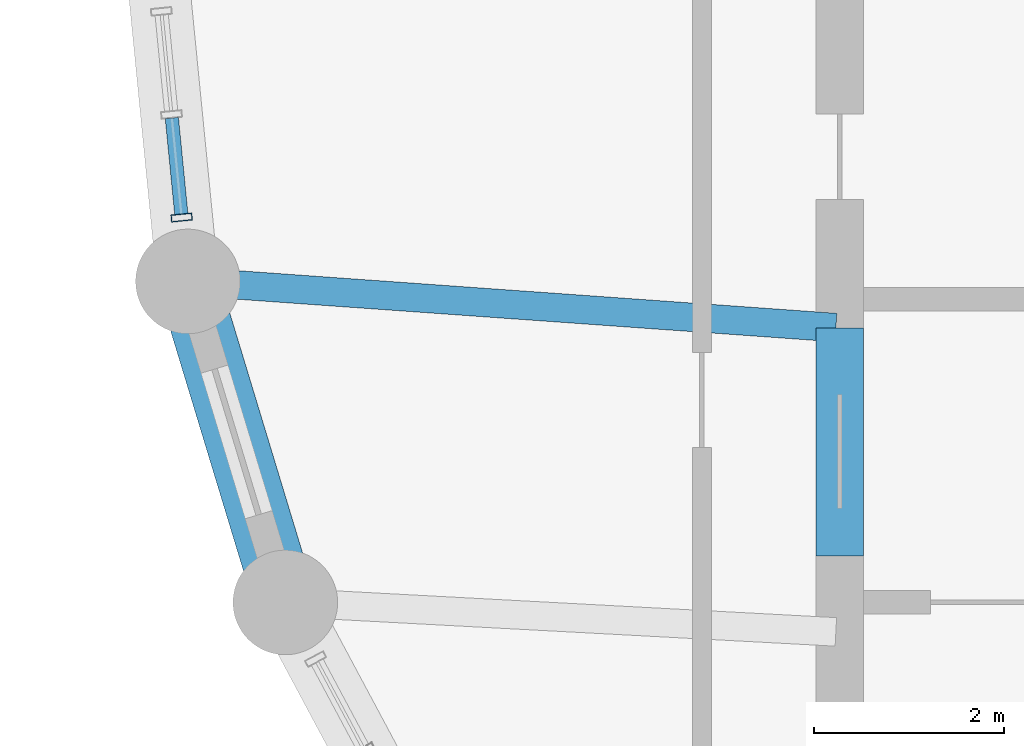
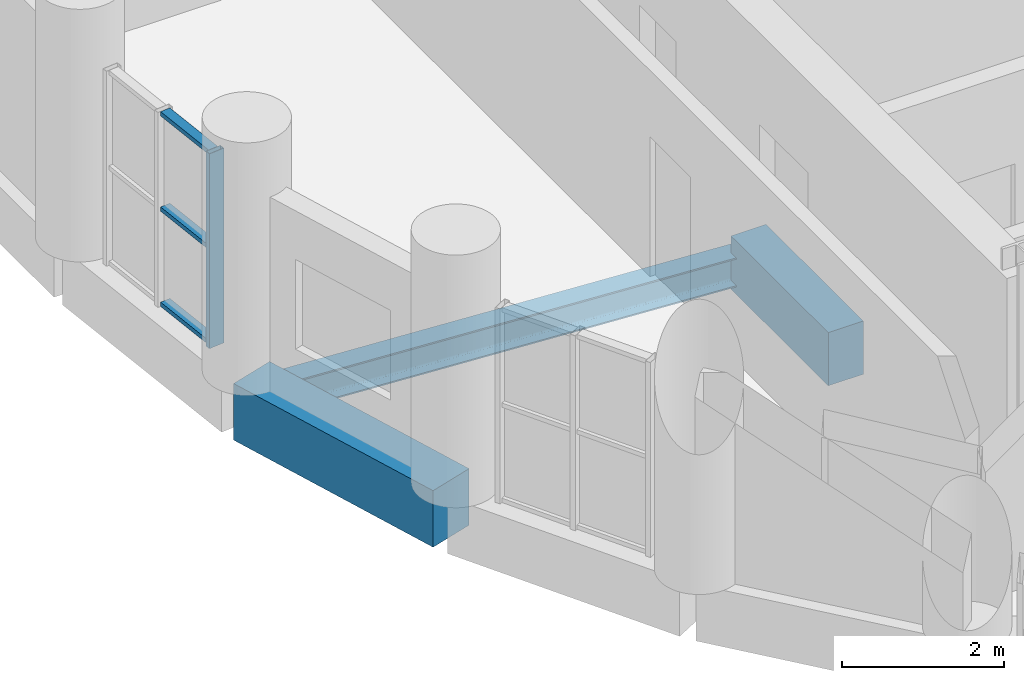
# One storey, part 3 of 13: 4 members, 3 beams, 1 element without a shape of its own.
"""IFC4 building model written with IfcOpenShell, lengths in metres."""

from ifc_helpers import new_model, si_unit, direction, frame, origin, origin_2d, place, context, subcontext, project, spatial, rectangle, hollow_rectangle, i_section, extrude, material, layer, layer_set, material_profile, profile_set, type_object, element, aggregate, save


model = new_model("IFC4")

# Units and contexts
model_context = context("Model", 3, precision=1e-05, world=origin(), true_north=direction((0.0, 1.0)))
body_context = subcontext(model_context, "Body", "Model", "MODEL_VIEW")
ifc_project = project(units=[si_unit("LENGTHUNIT", "METRE"), si_unit("AREAUNIT", "SQUARE_METRE"), si_unit("VOLUMEUNIT", "CUBIC_METRE"), si_unit("PLANEANGLEUNIT", "RADIAN"), si_unit("MASSUNIT", "GRAM", prefix="KILO")], contexts=[model_context])

# Site, building, storey
site_placement = place(None, origin())
site = spatial("IfcSite", under=ifc_project, at=site_placement, CompositionType="ELEMENT")
building_placement = place(site_placement, origin())
building = spatial("IfcBuilding", under=site, at=building_placement, Name="Solnavia Interchange Tower", CompositionType="ELEMENT")
storey_placement = place(building_placement, frame((0.0, 0.0, 123.800048828125)))
storey = spatial("IfcBuildingStorey", under=building, at=storey_placement, Name="L30", CompositionType="ELEMENT", Elevation=123.800048828125)

# Beams
ifc_material_1 = material(Name="Concrete C50/60", Category="concrete")
ifc_material_profile_1 = material_profile(ifc_material_1, rectangle(XDim=0.5, YDim=0.800048828125, at=origin_2d()), Name="RC 500x800")
ifc_profile_set_1 = profile_set([ifc_material_profile_1], Name="Concrete C50/60")
beam_type_1 = type_object("IfcBeamType", Name="Beam-Coupling-RC500x800", PredefinedType="LINTEL", material=ifc_profile_set_1)
beam_1_placement = place(storey_placement, frame((14.39990234375, 15.199951171875, -0.400146484375), z_axis=(0.0, 1.0, 0.0), x_axis=(-1.0, 0.0, 0.0)))
element("IfcBeam", 1, at=beam_1_placement, inside=storey, type_object=beam_type_1, Name="CPB-L30-W1 Core coupling lintel beam", PredefinedType="LINTEL", context=body_context, shape_type="SweptSolid", body=[
    extrude(rectangle(XDim=0.5, YDim=0.800048828125, at=origin_2d()), origin(), (0.0, 0.0, 1.0), 2.400146484375),
])
ifc_material_2 = material(Name="Steel S355", Category="steel")
ifc_material_profile_2 = material_profile(ifc_material_2, i_section(OverallWidth=0.300048828125, OverallDepth=0.43994140625, WebThickness=0.011474609375, FlangeThickness=0.02099609375, FilletRadius=0.027099609375, at=origin_2d()), Name="HEA 450")
ifc_profile_set_2 = profile_set([ifc_material_profile_2], Name="Steel S355")
beam_type_2 = type_object("IfcBeamType", Name="Beam-Primary-HEA450", PredefinedType="BEAM", material=ifc_profile_set_2)
beam_2_placement = place(storey_placement, frame((7.625732421875, 18.082275390625, -0.469970703125), z_axis=(0.99747482749, -0.071020902015, 0.0), x_axis=(0.071020902015, 0.99747482749, 0.0)))
element("IfcBeam", 2, at=beam_2_placement, inside=storey, type_object=beam_type_2, Name="GRD-L30-DR20 Drum radial floor girder", PredefinedType="BEAM", context=body_context, shape_type="SweptSolid", body=[
    extrude(i_section(OverallWidth=0.300048828125, OverallDepth=0.43994140625, WebThickness=0.011474609375, FlangeThickness=0.02099609375, FilletRadius=0.027099609375, at=origin_2d()), origin(), (0.0, 0.0, 1.0), 6.75146484375),
])
ifc_material_profile_3 = material_profile(ifc_material_1, rectangle(XDim=0.64990234375, YDim=0.85009765625, at=origin_2d()), Name="RC 650x850")
ifc_profile_set_3 = profile_set([ifc_material_profile_3], Name="Concrete C50/60")
beam_type_3 = type_object("IfcBeamType", Name="Beam-Spandrel-RC650x850", PredefinedType="SPANDREL", material=ifc_profile_set_3)
beam_3_placement = place(storey_placement, frame((7.569091796875, 18.011474609375, -0.425048828125), z_axis=(0.290319223646, -0.956929855518, 0.0), x_axis=(0.956929855518, 0.290319223646, 0.0)))
element("IfcBeam", 3, at=beam_3_placement, inside=storey, type_object=beam_type_3, Name="SPB-L30-02 Framed-tube perimeter spandrel beam", PredefinedType="SPANDREL", context=body_context, shape_type="SweptSolid", body=[
    extrude(rectangle(XDim=0.64990234375, YDim=0.85009765625, at=origin_2d()), origin(), (0.0, 0.0, 1.0), 3.367919921875),
])

# Curtain wall, members
ifc_material_3 = material(Name="Aluminium Alloy 6063-T6", Category="aluminium")
ifc_layer = layer(ifc_material_3, 0.239990234375)
ifc_layer_set = layer_set([ifc_layer], Name="Aluminium Alloy 6063-T6")
curtain_wall_type = type_object("IfcCurtainWallType", Name="CurtainWall-Drum-CTW2", PredefinedType="NOTDEFINED", material=ifc_layer_set)
curtain_wall_placement = place(storey_placement, origin())
curtain_wall = element("IfcCurtainWall", 4, at=curtain_wall_placement, inside=storey, type_object=curtain_wall_type, Name="CTW-L30-D55 CTW-2 curtain wall", PredefinedType="NOTDEFINED")
ifc_material_profile_4 = material_profile(ifc_material_3, hollow_rectangle(XDim=0.074951171875, YDim=0.219970703125, WallThickness=0.0048828125, at=origin_2d()), Name="ALU 220x75x5")
ifc_profile_set_4 = profile_set([ifc_material_profile_4], Name="Aluminium Alloy 6063-T6")
member_type_1 = type_object("IfcMemberType", Name="CW-Mullion-CWM-2", PredefinedType="MULLION", material=ifc_profile_set_4)
member_1_placement = place(storey_placement, frame((7.479736328125, 18.759765625, 0.0), z_axis=(0.0, 0.0, 1.0), x_axis=(0.098045297616, -0.995181953019, 0.0)))
member_1 = element("IfcMember", 5, at=member_1_placement, type_object=member_type_1, Name="CTW-2 mullion 3", PredefinedType="MULLION", context=body_context, shape_type="SweptSolid", body=[
    extrude(hollow_rectangle(XDim=0.074951171875, YDim=0.219970703125, WallThickness=0.0048828125, at=origin_2d()), origin(), (0.0, 0.0, 1.0), 2.929931640625),
])
ifc_material_profile_5 = material_profile(ifc_material_3, hollow_rectangle(XDim=0.06494140625, YDim=0.139892578125, WallThickness=0.00390625, at=origin_2d()), Name="ALU 140x65x4")
ifc_profile_set_5 = profile_set([ifc_material_profile_5], Name="Aluminium Alloy 6063-T6")
member_type_2 = type_object("IfcMemberType", Name="CW-Transom-CWT-2", PredefinedType="USERDEFINED", material=ifc_profile_set_5)
member_2_placement = place(storey_placement, frame((7.376708984375, 19.806640625, 0.032470703125), z_axis=(0.097954700343, -0.995190874496, 0.0), x_axis=(0.0, 0.0, 1.0)))
member_2 = element("IfcMember", 6, at=member_2_placement, type_object=member_type_2, Name="CTW-2 transom 2.1", ObjectType="TRANSOM", PredefinedType="USERDEFINED", context=body_context, shape_type="SweptSolid", body=[
    extrude(hollow_rectangle(XDim=0.06494140625, YDim=0.139892578125, WallThickness=0.00390625, at=origin_2d()), origin(), (0.0, 0.0, 1.0), 1.014404296875),
])
member_3_placement = place(storey_placement, frame((7.376708984375, 19.806640625, 1.46484375), z_axis=(0.097954700343, -0.995190874496, 0.0), x_axis=(0.0, 0.0, 1.0)))
member_3 = element("IfcMember", 7, at=member_3_placement, type_object=member_type_2, Name="CTW-2 transom 2.2", ObjectType="TRANSOM", PredefinedType="USERDEFINED", context=body_context, shape_type="SweptSolid", body=[
    extrude(hollow_rectangle(XDim=0.06494140625, YDim=0.139892578125, WallThickness=0.00390625, at=origin_2d()), origin(), (0.0, 0.0, 1.0), 1.014404296875),
])
member_4_placement = place(storey_placement, frame((7.376708984375, 19.806640625, 2.8974609375), z_axis=(0.097954700343, -0.995190874496, 0.0), x_axis=(0.0, 0.0, 1.0)))
member_4 = element("IfcMember", 8, at=member_4_placement, type_object=member_type_2, Name="CTW-2 transom 2.3", ObjectType="TRANSOM", PredefinedType="USERDEFINED", context=body_context, shape_type="SweptSolid", body=[
    extrude(hollow_rectangle(XDim=0.06494140625, YDim=0.139892578125, WallThickness=0.00390625, at=origin_2d()), origin(), (0.0, 0.0, 1.0), 1.014404296875),
])
aggregate(curtain_wall, [member_1, member_2, member_3, member_4])

save(model, "model.ifc")
